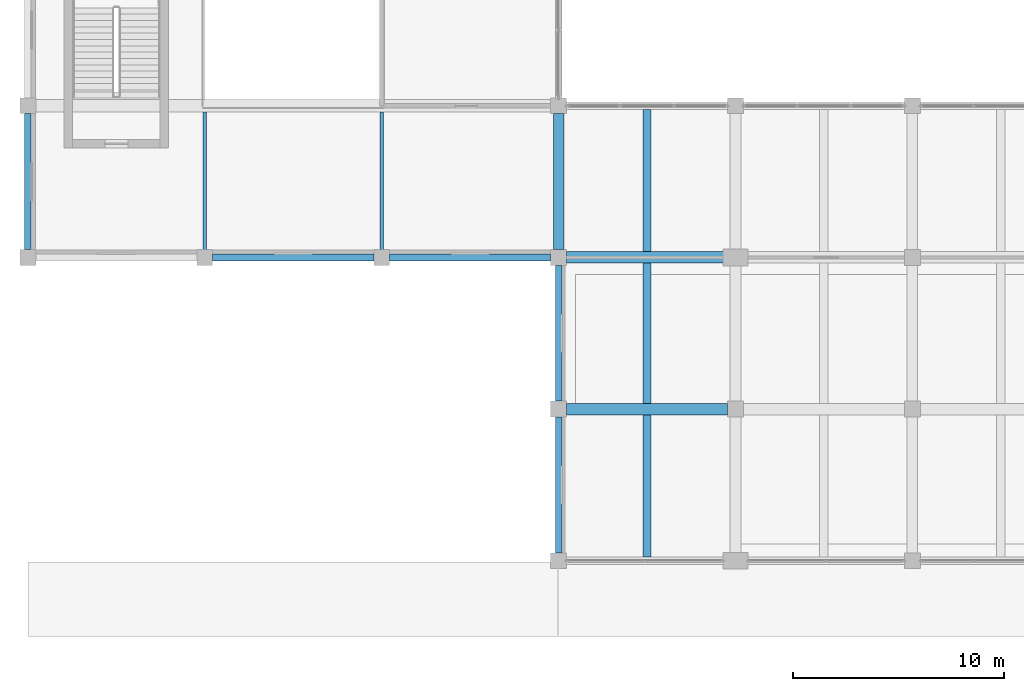
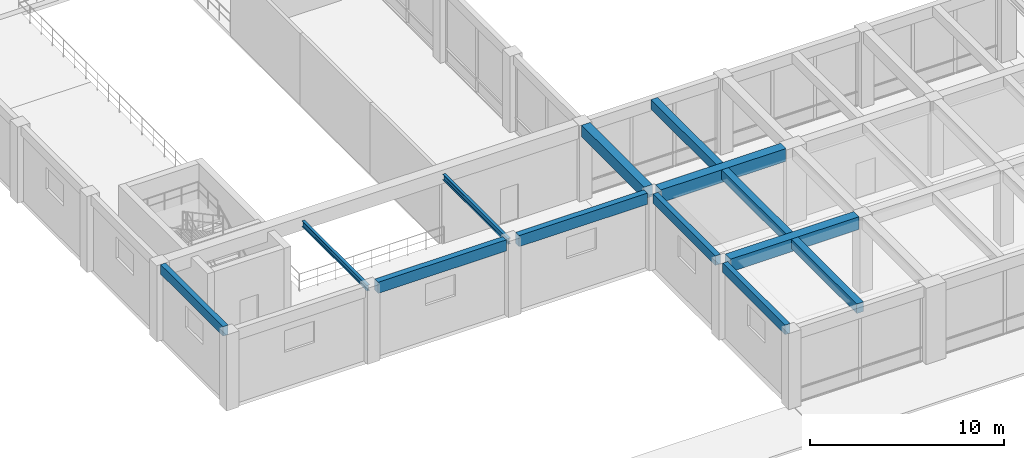
# One storey, part 3 of 52: 13 beams.
"""IFC4 building model written with IfcOpenShell, lengths in metres."""

from ifc_helpers import new_model, si_unit, direction, frame, origin, origin_2d, place, context, subcontext, project, spatial, rectangle, i_section, extrude, material, material_profile, profile_set, type_object, element, save


model = new_model("IFC4")

# Units and contexts
model_context = context("Model", 3, precision=1e-05, world=origin(), true_north=direction((0.0, 1.0)))
body_context = subcontext(model_context, "Body", "Model", "MODEL_VIEW")
ifc_project = project(units=[si_unit("LENGTHUNIT", "METRE"), si_unit("AREAUNIT", "SQUARE_METRE"), si_unit("VOLUMEUNIT", "CUBIC_METRE"), si_unit("PLANEANGLEUNIT", "RADIAN"), si_unit("MASSUNIT", "GRAM", prefix="KILO")], contexts=[model_context])

# Site, building, storey
site_placement = place(None, origin())
site = spatial("IfcSite", under=ifc_project, at=site_placement, CompositionType="ELEMENT")
building_placement = place(site_placement, origin())
building = spatial("IfcBuilding", under=site, at=building_placement, Name="Kenerak Square Central Library", CompositionType="ELEMENT")
storey_placement = place(building_placement, frame((0.0, 0.0, 4.800048828125)))
storey = spatial("IfcBuildingStorey", under=building, at=storey_placement, Name="L01", CompositionType="ELEMENT", Elevation=4.800048828125)

# Beams
ifc_material_1 = material(Name="Concrete C40/50", Category="concrete")
ifc_material_profile_1 = material_profile(ifc_material_1, rectangle(XDim=0.300048828125, YDim=0.60009765625, at=origin_2d()), Name="RC 300x600")
ifc_profile_set_1 = profile_set([ifc_material_profile_1], Name="Concrete C40/50")
beam_type_1 = type_object("IfcBeamType", Name="Courtyard Spandrel Beam SP-02 RC 300x600 C40/50", PredefinedType="SPANDREL", material=ifc_profile_set_1)
for number, where, z_axis, x_axis, name in (
    (1, (8.0, 31.574951171875, 4.5), (0.0, 1.0, 0.0), (-1.0, 0.0, 0.0), "Beam SP-02 L01 0982"),
    (2, (33.199951171875, 17.175048828125, 4.5), (0.0, 1.0, 0.0), (-1.0, 0.0, 0.0), "Beam SP-02 L01 0988"),
    (3, (33.199951171875, 24.375, 4.5), (0.0, 1.0, 0.0), (-1.0, 0.0, 0.0), "Beam SP-02 L01 0989"),
):
    element("IfcBeam", number, at=place(storey_placement, frame(where, z_axis=z_axis, x_axis=x_axis)), inside=storey, type_object=beam_type_1, Name=name, PredefinedType="SPANDREL", context=body_context, shape_type="SweptSolid", body=[
        extrude(rectangle(XDim=0.300048828125, YDim=0.60009765625, at=origin_2d()), origin(), (0.0, 0.0, 1.0), 6.449951171875),
    ])
ifc_material_profile_2 = material_profile(ifc_material_1, rectangle(XDim=0.35009765625, YDim=0.699951171875, at=origin_2d()), Name="RC 350x700")
ifc_profile_set_2 = profile_set([ifc_material_profile_2], Name="Concrete C40/50")
beam_type_2 = type_object("IfcBeamType", Name="Expressed Spandrel Beam SP-01 RC 350x700 C40/50", PredefinedType="SPANDREL", material=ifc_profile_set_2)
beam_1_placement = place(storey_placement, frame((16.77490234375, 31.199951171875, 4.449951171875), z_axis=(1.0, 0.0, 0.0), x_axis=(0.0, 1.0, 0.0)))
element("IfcBeam", 4, at=beam_1_placement, inside=storey, type_object=beam_type_2, Name="Beam SP-01 L01 0883", PredefinedType="SPANDREL", context=body_context, shape_type="SweptSolid", body=[
    extrude(rectangle(XDim=0.35009765625, YDim=0.699951171875, at=origin_2d()), origin(), (0.0, 0.0, 1.0), 7.650146484375),
])
beam_2_placement = place(storey_placement, frame((25.175048828125, 31.199951171875, 4.449951171875), z_axis=(1.0, 0.0, 0.0), x_axis=(0.0, 1.0, 0.0)))
element("IfcBeam", 5, at=beam_2_placement, inside=storey, type_object=beam_type_2, Name="Beam SP-01 L01 0884", PredefinedType="SPANDREL", context=body_context, shape_type="SweptSolid", body=[
    extrude(rectangle(XDim=0.35009765625, YDim=0.699951171875, at=origin_2d()), origin(), (0.0, 0.0, 1.0), 7.64990234375),
])
ifc_material_profile_3 = material_profile(ifc_material_1, rectangle(XDim=0.550048828125, YDim=0.800048828125, at=origin_2d()), Name="RC 550x800")
ifc_profile_set_3 = profile_set([ifc_material_profile_3], Name="Concrete C40/50")
beam_type_3 = type_object("IfcBeamType", Name="Primary Reading Beam B-04 RC 550x800 C40/50", PredefinedType="BEAM", material=ifc_profile_set_3)
beam_3_placement = place(storey_placement, frame((33.574951171875, 24.0, 4.39990234375), z_axis=(1.0, 0.0, 0.0), x_axis=(0.0, 1.0, 0.0)))
element("IfcBeam", 6, at=beam_3_placement, inside=storey, type_object=beam_type_3, Name="Beam B-04 L01 0871", PredefinedType="BEAM", context=body_context, shape_type="SweptSolid", body=[
    extrude(rectangle(XDim=0.550048828125, YDim=0.800048828125, at=origin_2d()), origin(), (0.0, 0.0, 1.0), 7.650146484375),
])
beam_4_placement = place(storey_placement, frame((33.574951171875, 31.199951171875, 4.39990234375), z_axis=(1.0, 0.0, 0.0), x_axis=(0.0, 1.0, 0.0)))
element("IfcBeam", 7, at=beam_4_placement, inside=storey, type_object=beam_type_3, Name="Beam B-04 L01 0885", PredefinedType="BEAM", context=body_context, shape_type="SweptSolid", body=[
    extrude(rectangle(XDim=0.550048828125, YDim=0.800048828125, at=origin_2d()), origin(), (0.0, 0.0, 1.0), 7.47509765625),
])
ifc_material_profile_4 = material_profile(ifc_material_1, rectangle(XDim=0.39990234375, YDim=0.60009765625, at=origin_2d()), Name="RC 400x600")
ifc_profile_set_4 = profile_set([ifc_material_profile_4], Name="Concrete C40/50")
beam_type_4 = type_object("IfcBeamType", Name="Secondary Floor Joist J-01 RC 400x600 C40/50", PredefinedType="JOIST", material=ifc_profile_set_4)
beam_5_placement = place(storey_placement, frame((37.39990234375, 16.97509765625, 4.5), z_axis=(0.0, 1.0, 0.0), x_axis=(-1.0, 0.0, 0.0)))
element("IfcBeam", 8, at=beam_5_placement, inside=storey, type_object=beam_type_4, Name="Joist J-01 L01 1097", PredefinedType="JOIST", context=body_context, shape_type="SweptSolid", body=[
    extrude(rectangle(XDim=0.39990234375, YDim=0.60009765625, at=origin_2d()), origin(), (0.0, 0.0, 1.0), 6.75),
])
beam_6_placement = place(storey_placement, frame((37.39990234375, 24.27490234375, 4.5), z_axis=(0.0, 1.0, 0.0), x_axis=(-1.0, 0.0, 0.0)))
element("IfcBeam", 9, at=beam_6_placement, inside=storey, type_object=beam_type_4, Name="Joist J-01 L01 1098", PredefinedType="JOIST", context=body_context, shape_type="SweptSolid", body=[
    extrude(rectangle(XDim=0.39990234375, YDim=0.60009765625, at=origin_2d()), origin(), (0.0, 0.0, 1.0), 6.650146484375),
])
beam_7_placement = place(storey_placement, frame((37.39990234375, 31.47509765625, 4.5), z_axis=(0.0, 1.0, 0.0), x_axis=(-1.0, 0.0, 0.0)))
element("IfcBeam", 10, at=beam_7_placement, inside=storey, type_object=beam_type_4, Name="Joist J-01 L01 1099", PredefinedType="JOIST", context=body_context, shape_type="SweptSolid", body=[
    extrude(rectangle(XDim=0.39990234375, YDim=0.60009765625, at=origin_2d()), origin(), (0.0, 0.0, 1.0), 6.75),
])
ifc_material_2 = material(Name="Steel S355", Category="steel")
ifc_material_profile_5 = material_profile(ifc_material_2, i_section(OverallWidth=0.169921875, OverallDepth=0.360107421875, WebThickness=0.008056640625, FlangeThickness=0.0126953125, FilletRadius=0.01806640625, at=origin_2d()), Name="IPE 360")
ifc_profile_set_5 = profile_set([ifc_material_profile_5], Name="Steel S355")
beam_type_5 = type_object("IfcBeamType", Name="Secondary Steel Joist SJ-01 IPE 360 S355", PredefinedType="JOIST", material=ifc_profile_set_5)
for number, where, z_axis, x_axis, name in (
    (11, (16.39990234375, 31.375, 4.369873046875), (0.0, 1.0, 0.0), (-1.0, 0.0, 0.0), "Secondary Steel Joist SJ-01 01"),
    (12, (24.800048828125, 31.375, 4.369873046875), (0.0, 1.0, 0.0), (-1.0, 0.0, 0.0), "Secondary Steel Joist SJ-01 02"),
):
    element("IfcBeam", number, at=place(storey_placement, frame(where, z_axis=z_axis, x_axis=x_axis)), inside=storey, type_object=beam_type_5, Name=name, PredefinedType="JOIST", context=body_context, shape_type="SweptSolid", body=[
        extrude(i_section(OverallWidth=0.169921875, OverallDepth=0.360107421875, WebThickness=0.008056640625, FlangeThickness=0.0126953125, FilletRadius=0.01806640625, at=origin_2d()), origin(), (0.0, 0.0, 1.0), 6.72509765625),
    ])
ifc_material_profile_6 = material_profile(ifc_material_1, rectangle(XDim=0.5, YDim=0.75, at=origin_2d()), Name="RC 500x750")
ifc_profile_set_6 = profile_set([ifc_material_profile_6], Name="Concrete C40/50")
beam_type_6 = type_object("IfcBeamType", Name="Transverse Frame Beam B-05 RC 500x750 C40/50", PredefinedType="BEAM", material=ifc_profile_set_6)
beam_8_placement = place(storey_placement, frame((33.199951171875, 31.574951171875, 4.425048828125), z_axis=(0.0, 1.0, 0.0), x_axis=(-1.0, 0.0, 0.0)))
element("IfcBeam", 13, at=beam_8_placement, inside=storey, type_object=beam_type_6, Name="Beam B-05 L01 0990", PredefinedType="BEAM", context=body_context, shape_type="SweptSolid", body=[
    extrude(rectangle(XDim=0.5, YDim=0.75, at=origin_2d()), origin(), (0.0, 0.0, 1.0), 6.449951171875),
])

save(model, "model.ifc")
